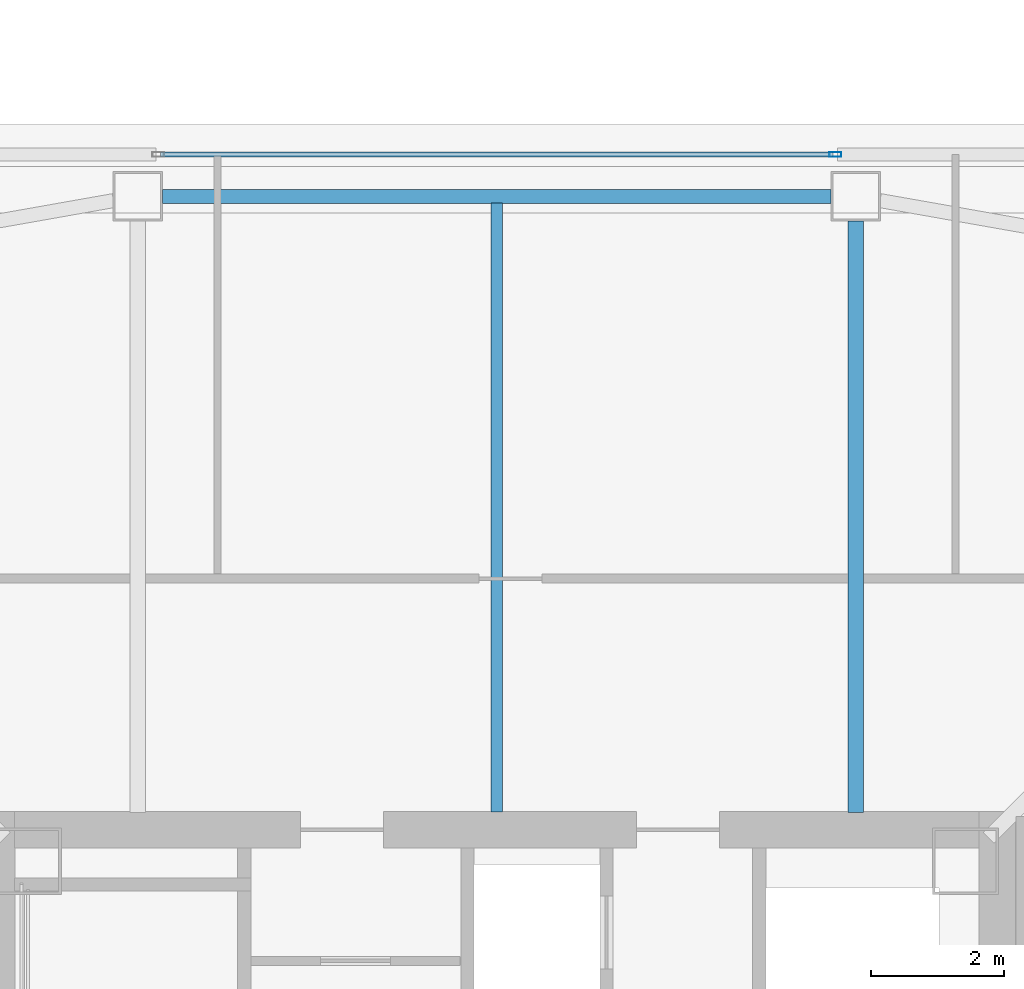
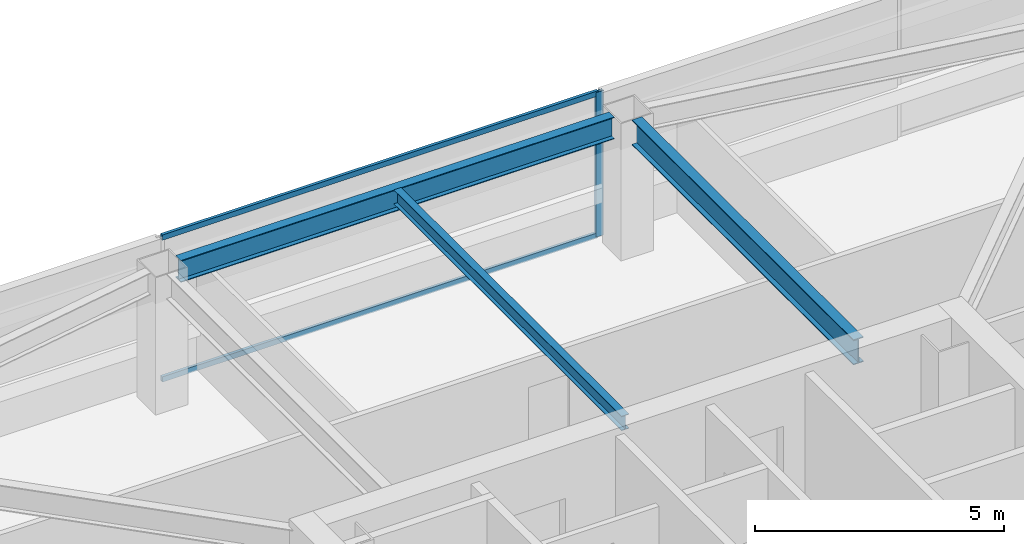
# One storey, part 13 of 41: 3 beams, 3 members, 1 element without a shape of its own.
"""IFC4 building model written with IfcOpenShell, lengths in metres."""

from ifc_helpers import new_model, si_unit, direction, frame, origin, origin_2d, place, context, subcontext, project, spatial, hollow_rectangle, i_section, extrude, material, material_profile, profile_set, type_object, element, aggregate, save


model = new_model("IFC4")

# Units and contexts
model_context = context("Model", 3, precision=1e-05, world=origin(), true_north=direction((0.0, 1.0)))
body_context = subcontext(model_context, "Body", "Model", "MODEL_VIEW")
ifc_project = project(units=[si_unit("LENGTHUNIT", "METRE"), si_unit("AREAUNIT", "SQUARE_METRE"), si_unit("VOLUMEUNIT", "CUBIC_METRE"), si_unit("PLANEANGLEUNIT", "RADIAN"), si_unit("MASSUNIT", "GRAM", prefix="KILO")], contexts=[model_context])

# Site, building, storey
site_placement = place(None, origin())
site = spatial("IfcSite", under=ifc_project, at=site_placement, CompositionType="ELEMENT")
building_placement = place(site_placement, origin())
building = spatial("IfcBuilding", under=site, at=building_placement, Name="Tashvorn Skyway Center", CompositionType="ELEMENT")
storey_placement = place(building_placement, frame((0.0, 0.0, 171.199951171875)))
storey = spatial("IfcBuildingStorey", under=building, at=storey_placement, Name="L46", CompositionType="ELEMENT", Elevation=171.199951171875)

# Beams
ifc_material_1 = material(Name="Steel ASTM A992 Grade 50", Category="steel")
ifc_material_profile_1 = material_profile(ifc_material_1, i_section(OverallWidth=0.22998046875, OverallDepth=0.616943359375, WebThickness=0.01318359375, FlangeThickness=0.022216796875, at=origin_2d()), Name="W24X94")
ifc_profile_set_1 = profile_set([ifc_material_profile_1], Name="Steel ASTM A992 Grade 50")
beam_type_1 = type_object("IfcBeamType", Name="BM-BEAM-W24X94", PredefinedType="BEAM", material=ifc_profile_set_1)
beam_1_placement = place(storey_placement, frame((47.39990234375, 48.679931640625, 3.0615234375), z_axis=(0.0, -1.0, 0.0), x_axis=(1.0, 0.0, 0.0)))
element("IfcBeam", 1, at=beam_1_placement, inside=storey, type_object=beam_type_1, Name="Tower 1 L46 Primary Floor Girder FC-N1", PredefinedType="BEAM", context=body_context, shape_type="SweptSolid", body=[
    extrude(i_section(OverallWidth=0.22998046875, OverallDepth=0.616943359375, WebThickness=0.01318359375, FlangeThickness=0.022216796875, at=origin_2d()), origin(), (0.0, 0.0, 1.0), 8.89990234375),
])
ifc_material_profile_2 = material_profile(ifc_material_1, i_section(OverallWidth=0.1708984375, OverallDepth=0.35498046875, WebThickness=0.007080078125, FlangeThickness=0.01171875, at=origin_2d()), Name="W14X34")
ifc_profile_set_2 = profile_set([ifc_material_profile_2], Name="Steel ASTM A992 Grade 50")
beam_type_2 = type_object("IfcBeamType", Name="BM-JOIST-W14X34", PredefinedType="JOIST", material=ifc_profile_set_2)
beam_2_placement = place(storey_placement, frame((42.0, 39.7900390625, 3.192626953125), z_axis=(0.0, 1.0, 0.0), x_axis=(-1.0, 0.0, 0.0)))
element("IfcBeam", 2, at=beam_2_placement, inside=storey, type_object=beam_type_2, Name="Tower 1 L46 Secondary Composite Joist JN", PredefinedType="JOIST", context=body_context, shape_type="SweptSolid", body=[
    extrude(i_section(OverallWidth=0.1708984375, OverallDepth=0.35498046875, WebThickness=0.007080078125, FlangeThickness=0.01171875, at=origin_2d()), origin(), (0.0, 0.0, 1.0), 9.162353515625),
])
ifc_material_profile_3 = material_profile(ifc_material_1, i_section(OverallWidth=0.2109375, OverallDepth=0.5390625, WebThickness=0.01171875, FlangeThickness=0.018798828125, at=origin_2d()), Name="W21X73")
ifc_profile_set_3 = profile_set([ifc_material_profile_3], Name="Steel ASTM A992 Grade 50")
beam_type_3 = type_object("IfcBeamType", Name="BM-SPANDREL-W21X73", PredefinedType="SPANDREL", material=ifc_profile_set_3)
beam_3_placement = place(storey_placement, frame((47.030029296875, 49.050048828125, 3.1005859375), z_axis=(-1.0, 0.0, 0.0), x_axis=(0.0, -1.0, 0.0)))
element("IfcBeam", 3, at=beam_3_placement, inside=storey, type_object=beam_type_3, Name="Tower 1 L46 Spandrel Beam 08", PredefinedType="SPANDREL", context=body_context, shape_type="SweptSolid", body=[
    extrude(i_section(OverallWidth=0.2109375, OverallDepth=0.5390625, WebThickness=0.01171875, FlangeThickness=0.018798828125, at=origin_2d()), origin(), (0.0, 0.0, 1.0), 10.06005859375),
])

# Curtain wall, members
ifc_material_2 = material(Name="Thermally broken bronze-anodized aluminium 6063-T6", Category="aluminium")
curtain_wall_type = type_object("IfcCurtainWallType", Name="CW-CW-Z4", PredefinedType="NOTDEFINED", material=ifc_material_2)
curtain_wall_placement = place(storey_placement, origin())
curtain_wall = element("IfcCurtainWall", 4, at=curtain_wall_placement, inside=storey, type_object=curtain_wall_type, Name="Tower 1 L46 North Unitised Curtain Wall Glazing Group 2", PredefinedType="NOTDEFINED")
ifc_material_profile_4 = material_profile(ifc_material_2, hollow_rectangle(XDim=0.070068359375, YDim=0.179931640625, WallThickness=0.00390625, at=origin_2d()), Name="ALU-MULL-70x180")
ifc_profile_set_4 = profile_set([ifc_material_profile_4], Name="Thermally broken bronze-anodized aluminium 6063-T6")
member_type_1 = type_object("IfcMemberType", Name="CWM-CW-Z4", PredefinedType="MULLION", material=ifc_profile_set_4)
member_1_placement = place(storey_placement, frame((47.091796875, 49.679931640625, 0.0), z_axis=(0.0, 0.0, 1.0), x_axis=(0.0, 1.0, 0.0)))
member_1 = element("IfcMember", 5, at=member_1_placement, type_object=member_type_1, Name="CW-Z4 mullion 2", PredefinedType="MULLION", context=body_context, shape_type="SweptSolid", body=[
    extrude(hollow_rectangle(XDim=0.070068359375, YDim=0.179931640625, WallThickness=0.00390625, at=origin_2d()), origin(), (0.0, 0.0, 1.0), 3.550048828125),
])
ifc_material_profile_5 = material_profile(ifc_material_2, hollow_rectangle(XDim=0.070068359375, YDim=0.1298828125, WallThickness=0.00390625, at=origin_2d()), Name="ALU-TRAN-70x130")
ifc_profile_set_5 = profile_set([ifc_material_profile_5], Name="Thermally broken bronze-anodized aluminium 6063-T6")
member_type_2 = type_object("IfcMemberType", Name="CWT-CW-Z4", PredefinedType="USERDEFINED", material=ifc_profile_set_5)
member_2_placement = place(storey_placement, frame((36.943359375, 49.679931640625, 0.03515625), z_axis=(1.0, 0.0, 0.0), x_axis=(0.0, 1.0, 0.0)))
member_2 = element("IfcMember", 6, at=member_2_placement, type_object=member_type_2, Name="CW-Z4 transom 1.1", ObjectType="TRANSOM", PredefinedType="USERDEFINED", context=body_context, shape_type="SweptSolid", body=[
    extrude(hollow_rectangle(XDim=0.070068359375, YDim=0.1298828125, WallThickness=0.00390625, at=origin_2d()), origin(), (0.0, 0.0, 1.0), 10.11328125),
])
member_3_placement = place(storey_placement, frame((36.943359375, 49.679931640625, 3.51513671875), z_axis=(1.0, 0.0, 0.0), x_axis=(0.0, 1.0, 0.0)))
member_3 = element("IfcMember", 7, at=member_3_placement, type_object=member_type_2, Name="CW-Z4 transom 1.2", ObjectType="TRANSOM", PredefinedType="USERDEFINED", context=body_context, shape_type="SweptSolid", body=[
    extrude(hollow_rectangle(XDim=0.070068359375, YDim=0.1298828125, WallThickness=0.00390625, at=origin_2d()), origin(), (0.0, 0.0, 1.0), 10.11328125),
])
aggregate(curtain_wall, [member_1, member_2, member_3])

save(model, "model.ifc")
